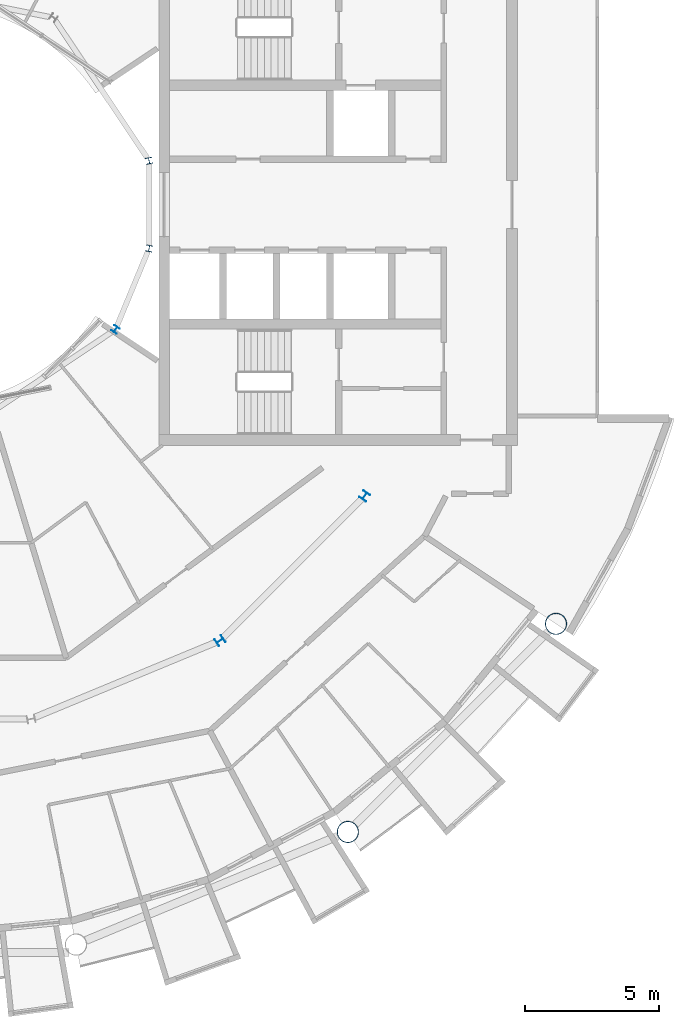
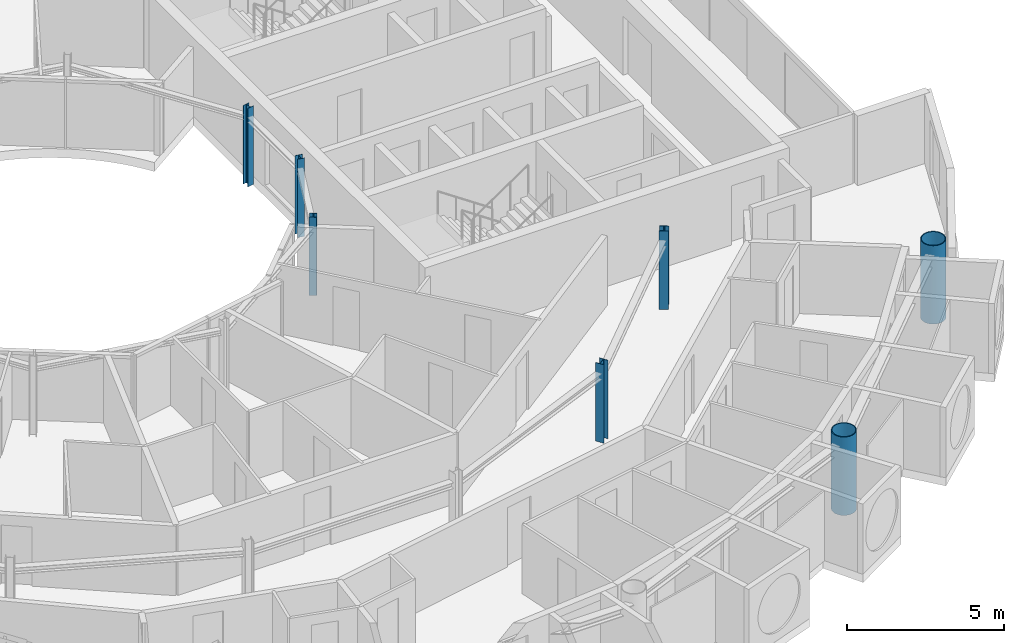
# One storey, part 3 of 28: 7 columns.
"""IFC4 building model written with IfcOpenShell, lengths in metres."""

from ifc_helpers import new_model, si_unit, direction, frame, origin, origin_2d, place, context, subcontext, project, spatial, hollow_circle, i_section, extrude, material, material_profile, profile_set, type_object, element, save


model = new_model("IFC4")

# Units and contexts
model_context = context("Model", 3, precision=1e-05, world=origin(), true_north=direction((0.0, 1.0)))
body_context = subcontext(model_context, "Body", "Model", "MODEL_VIEW")
ifc_project = project(units=[si_unit("LENGTHUNIT", "METRE"), si_unit("AREAUNIT", "SQUARE_METRE"), si_unit("VOLUMEUNIT", "CUBIC_METRE"), si_unit("PLANEANGLEUNIT", "RADIAN"), si_unit("MASSUNIT", "GRAM", prefix="KILO")], contexts=[model_context])

# Site, building, storey
site_placement = place(None, origin())
site = spatial("IfcSite", under=ifc_project, at=site_placement, CompositionType="ELEMENT")
building_placement = place(site_placement, origin())
building = spatial("IfcBuilding", under=site, at=building_placement, Name="Maasbend Ring Residences", CompositionType="ELEMENT")
storey_placement = place(building_placement, frame((0.0, 0.0, 227.949951171875)))
storey = spatial("IfcBuildingStorey", under=building, at=storey_placement, Name="L65", CompositionType="ELEMENT", Elevation=227.949951171875)

# Columns
ifc_material_1 = material(Name="Composite concrete-filled steel tube S460NH / C80/95", Category="concrete")
ifc_material_profile_1 = material_profile(ifc_material_1, hollow_circle(Radius=0.406494140625, WallThickness=0.030029296875, at=origin_2d()), Name="Composite tube column CHS 813x30")
ifc_profile_set_1 = profile_set([ifc_material_profile_1], Name="Composite concrete-filled steel tube S460NH / C80/95")
column_type_1 = type_object("IfcColumnType", Name="Composite tube column CHS 813x30", PredefinedType="COLUMN", material=ifc_profile_set_1)
for number, where, z_axis, x_axis, name in (
    (1, (15.6669921875, -23.447509765625, 0.0), (0.0, 0.0, 1.0), (1.0, 0.0, 0.0), "Outer column R14"),
    (2, (23.447509765625, -15.6669921875, 0.0), (0.0, 0.0, 1.0), (1.0, 0.0, 0.0), "Outer column R15"),
):
    element("IfcColumn", number, at=place(storey_placement, frame(where, z_axis=z_axis, x_axis=x_axis)), inside=storey, type_object=column_type_1, Name=name, PredefinedType="COLUMN", context=body_context, shape_type="SweptSolid", body=[
        extrude(hollow_circle(Radius=0.406494140625, WallThickness=0.030029296875, at=origin_2d()), origin(), (0.0, 0.0, 1.0), 3.050048828125),
    ])
ifc_material_2 = material(Name="Steel S355J2", Category="steel")
ifc_material_profile_2 = material_profile(ifc_material_2, i_section(OverallWidth=0.239990234375, OverallDepth=0.22998046875, WebThickness=0.007568359375, FlangeThickness=0.011962890625, FilletRadius=0.02099609375, at=origin_2d()), Name="HEA 240")
ifc_profile_set_2 = profile_set([ifc_material_profile_2], Name="Steel S355J2")
column_type_2 = type_object("IfcColumnType", Name="Steel column HEA 240", PredefinedType="COLUMN", material=ifc_profile_set_2)
for number, where, z_axis, x_axis, name in (
    (3, (8.238525390625, 1.638916015625, 0.0), (0.0, 0.0, 1.0), (0.980785280403, 0.195090322016, 0.0), "Well ring column R1"),
    (4, (6.984375, -4.666748046875, 0.0), (0.0, 0.0, 1.0), (0.831469612303, -0.55557023302, 0.0), "Well ring column R15"),
    (5, (8.238525390625, -1.638916015625, 0.0), (0.0, 0.0, 1.0), (0.980785280403, -0.195090322016, 0.0), "Well ring column R16"),
):
    element("IfcColumn", number, at=place(storey_placement, frame(where, z_axis=z_axis, x_axis=x_axis)), inside=storey, type_object=column_type_2, Name=name, PredefinedType="COLUMN", context=body_context, shape_type="SweptSolid", body=[
        extrude(i_section(OverallWidth=0.239990234375, OverallDepth=0.22998046875, WebThickness=0.007568359375, FlangeThickness=0.011962890625, FilletRadius=0.02099609375, at=origin_2d()), origin(), (0.0, 0.0, 1.0), 3.050048828125),
    ])
ifc_material_3 = material(Name="Steel S355J2", Category="steel")
ifc_material_profile_3 = material_profile(ifc_material_3, i_section(OverallWidth=0.300048828125, OverallDepth=0.300048828125, WebThickness=0.010986328125, FlangeThickness=0.01904296875, FilletRadius=0.027099609375, at=origin_2d()), Name="HEB 300")
ifc_profile_set_3 = profile_set([ifc_material_profile_3], Name="Steel S355J2")
column_type_3 = type_object("IfcColumnType", Name="Steel column HEB 300", PredefinedType="COLUMN", material=ifc_profile_set_3)
for number, where, z_axis, x_axis, name in (
    (6, (10.88916015625, -16.296875, 0.0), (0.0, 0.0, 1.0), (0.55557023302, -0.831469612303, 0.0), "Corridor ring column R14"),
    (7, (16.296875, -10.88916015625, 0.0), (0.0, 0.0, 1.0), (0.831469612303, -0.55557023302, 0.0), "Corridor ring column R15"),
):
    element("IfcColumn", number, at=place(storey_placement, frame(where, z_axis=z_axis, x_axis=x_axis)), inside=storey, type_object=column_type_3, Name=name, PredefinedType="COLUMN", context=body_context, shape_type="SweptSolid", body=[
        extrude(i_section(OverallWidth=0.300048828125, OverallDepth=0.300048828125, WebThickness=0.010986328125, FlangeThickness=0.01904296875, FilletRadius=0.027099609375, at=origin_2d()), origin(), (0.0, 0.0, 1.0), 3.050048828125),
    ])

save(model, "model.ifc")
